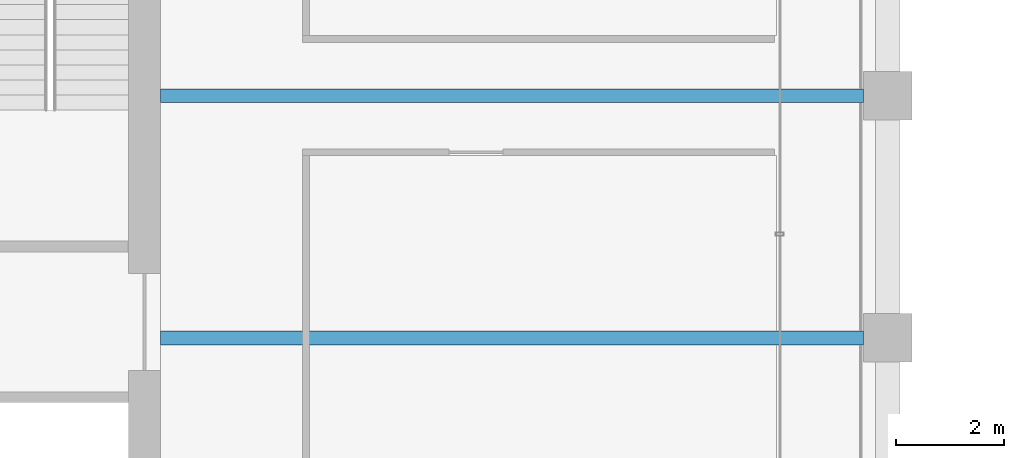
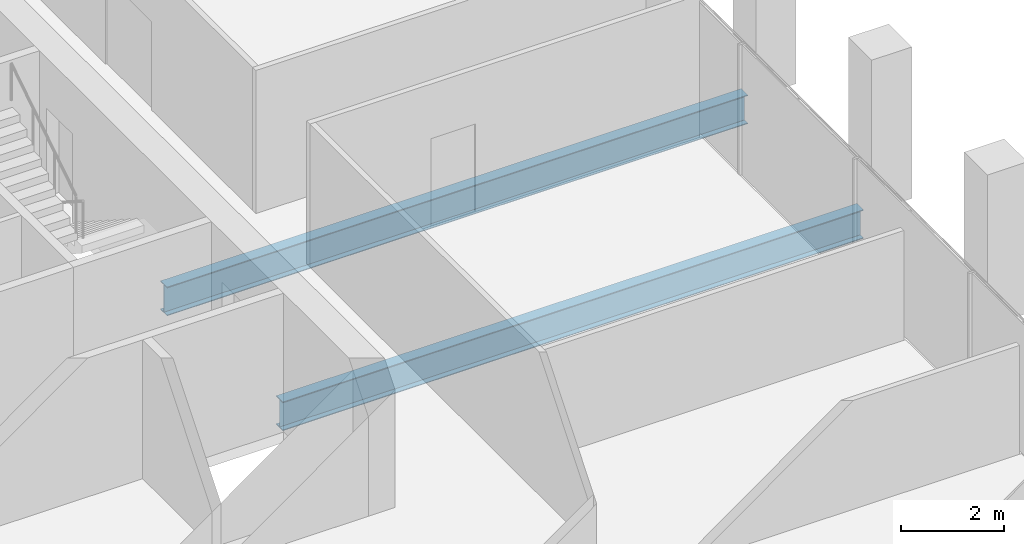
# One storey, part 16 of 40: 2 beams.
"""IFC4 building model written with IfcOpenShell, lengths in metres."""

from ifc_helpers import new_model, si_unit, direction, frame, origin, origin_2d, place, context, subcontext, project, spatial, i_section, extrude, material, material_profile, profile_set, type_object, element, save


model = new_model("IFC4")

# Units and contexts
model_context = context("Model", 3, precision=1e-05, world=origin(), true_north=direction((0.0, 1.0)))
body_context = subcontext(model_context, "Body", "Model", "MODEL_VIEW")
ifc_project = project(units=[si_unit("LENGTHUNIT", "METRE"), si_unit("AREAUNIT", "SQUARE_METRE"), si_unit("VOLUMEUNIT", "CUBIC_METRE"), si_unit("PLANEANGLEUNIT", "RADIAN"), si_unit("MASSUNIT", "GRAM", prefix="KILO")], contexts=[model_context])

# Site, building, storey
site_placement = place(None, origin())
site = spatial("IfcSite", under=ifc_project, at=site_placement, CompositionType="ELEMENT")
building_placement = place(site_placement, origin())
building = spatial("IfcBuilding", under=site, at=building_placement, Name="Altepetl Exchange Towers", CompositionType="ELEMENT")
storey_placement = place(building_placement, frame((0.0, 0.0, 187.0)))
storey = spatial("IfcBuildingStorey", under=building, at=storey_placement, Name="L47", CompositionType="ELEMENT", Elevation=187.0)

# Beams
ifc_material = material(Name="Steel S355", Category="steel")
ifc_material_profile = material_profile(ifc_material, i_section(OverallWidth=0.25390625, OverallDepth=0.68408203125, WebThickness=0.012451171875, FlangeThickness=0.018798828125, at=origin_2d()), Name="W27X94")
ifc_profile_set = profile_set([ifc_material_profile], Name="Steel S355")
beam_type = type_object("IfcBeamType", Name="Floor beam W27X94", PredefinedType="BEAM", material=ifc_profile_set)
for number, where, z_axis, x_axis, name in (
    (1, (58.5, 45.0, -0.491943359375), (1.0, 0.0, 0.0), (0.0, 1.0, 0.0), "bm:A:L47:009"),
    (2, (58.5, 49.5, -0.491943359375), (1.0, 0.0, 0.0), (0.0, 1.0, 0.0), "bm:A:L47:010"),
):
    element("IfcBeam", number, at=place(storey_placement, frame(where, z_axis=z_axis, x_axis=x_axis)), inside=storey, type_object=beam_type, Name=name, PredefinedType="BEAM", context=body_context, shape_type="SweptSolid", body=[
        extrude(i_section(OverallWidth=0.25390625, OverallDepth=0.68408203125, WebThickness=0.012451171875, FlangeThickness=0.018798828125, at=origin_2d()), origin(), (0.0, 0.0, 1.0), 13.050048828125),
    ])

save(model, "model.ifc")
